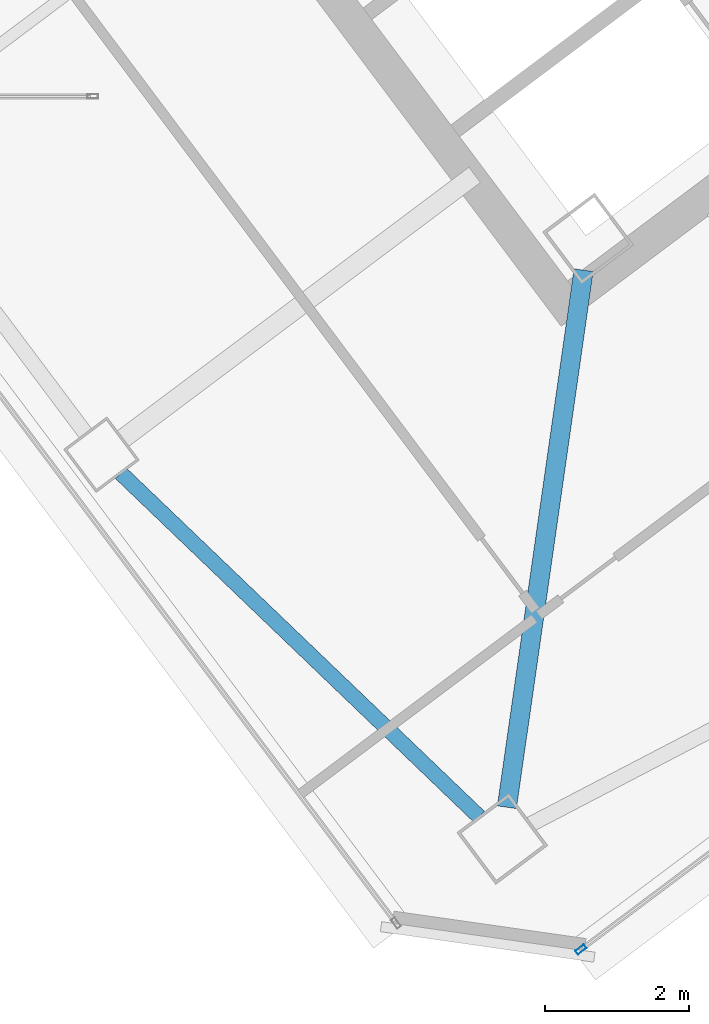
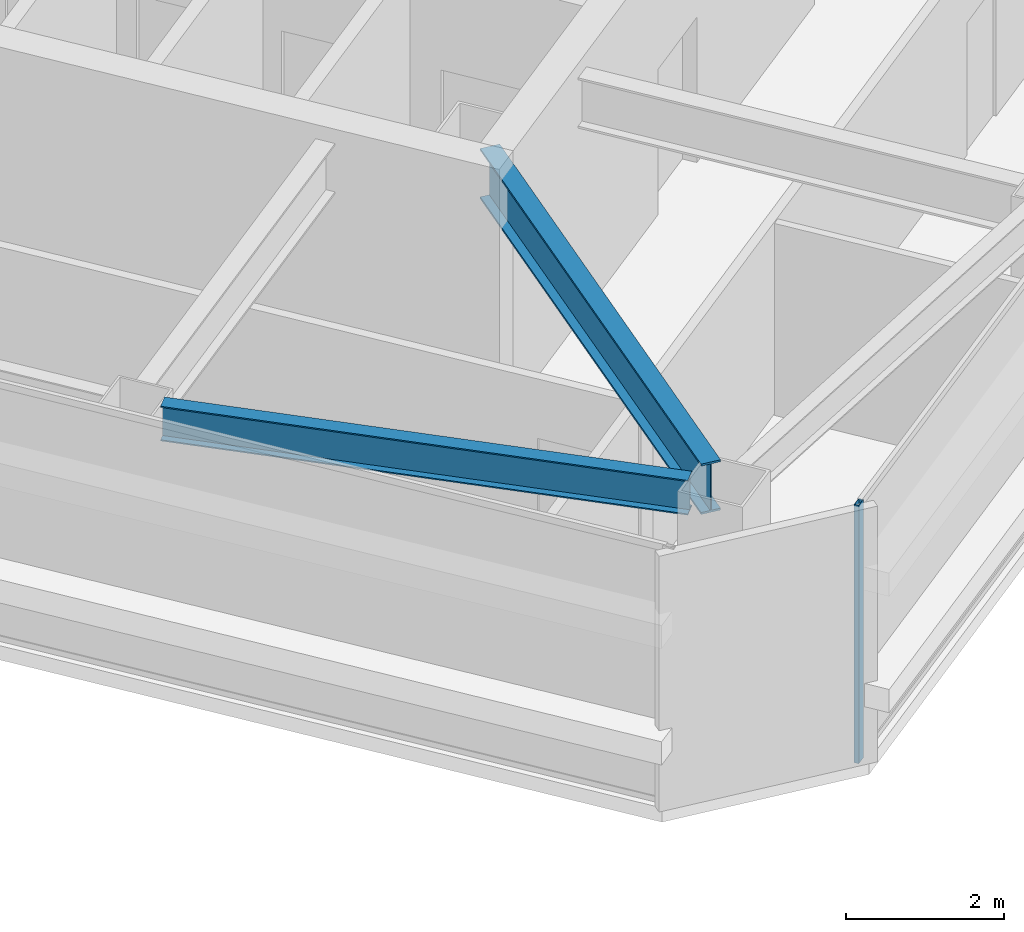
# One storey, part 27 of 51: 2 beams, 1 member, 1 element without a shape of its own.
"""IFC4 building model written with IfcOpenShell, lengths in metres."""

from ifc_helpers import new_model, si_unit, direction, frame, origin, origin_2d, place, context, subcontext, project, spatial, hollow_rectangle, i_section, extrude, material, material_profile, profile_set, type_object, element, aggregate, save


model = new_model("IFC4")

# Units and contexts
model_context = context("Model", 3, precision=1e-05, world=origin(), true_north=direction((0.0, 1.0)))
body_context = subcontext(model_context, "Body", "Model", "MODEL_VIEW")
ifc_project = project(units=[si_unit("LENGTHUNIT", "METRE"), si_unit("AREAUNIT", "SQUARE_METRE"), si_unit("VOLUMEUNIT", "CUBIC_METRE"), si_unit("PLANEANGLEUNIT", "RADIAN"), si_unit("MASSUNIT", "GRAM", prefix="KILO")], contexts=[model_context])

# Site, building, storey
site_placement = place(None, origin())
site = spatial("IfcSite", under=ifc_project, at=site_placement, CompositionType="ELEMENT")
building_placement = place(site_placement, origin())
building = spatial("IfcBuilding", under=site, at=building_placement, Name="Tashvorn Skyway Center", CompositionType="ELEMENT")
storey_placement = place(building_placement, frame((0.0, 0.0, 251.39990234375)))
storey = spatial("IfcBuildingStorey", under=building, at=storey_placement, Name="L68", CompositionType="ELEMENT", Elevation=251.39990234375)

# Beams
ifc_material_1 = material(Name="Steel ASTM A992 Grade 50", Category="steel")
ifc_material_profile_1 = material_profile(ifc_material_1, i_section(OverallWidth=0.26708984375, OverallDepth=0.779052734375, WebThickness=0.0166015625, FlangeThickness=0.030029296875, at=origin_2d()), Name="W30X148")
ifc_profile_set_1 = profile_set([ifc_material_profile_1], Name="Steel ASTM A992 Grade 50")
beam_type_1 = type_object("IfcBeamType", Name="BM-BEAM-W30X148", PredefinedType="BEAM", material=ifc_profile_set_1)
beam_1_placement = place(storey_placement, frame((111.462890625, 14.240478515625, 3.390625), z_axis=(0.141430441004, 0.989948195795, 0.0), x_axis=(-0.989948195795, 0.141430441004, 0.0)))
element("IfcBeam", 1, at=beam_1_placement, inside=storey, type_object=beam_type_1, Name="Tower 2 L68 Primary Floor Girder MC-SW", PredefinedType="BEAM", context=body_context, shape_type="SweptSolid", body=[
    extrude(i_section(OverallWidth=0.26708984375, OverallDepth=0.779052734375, WebThickness=0.0166015625, FlangeThickness=0.030029296875, at=origin_2d()), origin(), (0.0, 0.0, 1.0), 7.524658203125),
])
ifc_material_profile_2 = material_profile(ifc_material_1, i_section(OverallWidth=0.2109375, OverallDepth=0.5390625, WebThickness=0.01171875, FlangeThickness=0.018798828125, at=origin_2d()), Name="W21X73")
ifc_profile_set_2 = profile_set([ifc_material_profile_2], Name="Steel ASTM A992 Grade 50")
beam_type_2 = type_object("IfcBeamType", Name="BM-SPANDREL-W21X73", PredefinedType="SPANDREL", material=ifc_profile_set_2)
beam_2_placement = place(storey_placement, frame((106.107177734375, 18.8740234375, 3.510498046875), z_axis=(0.721873091786, -0.692025461493, 0.0), x_axis=(0.692025461493, 0.721873091786, 0.0)))
element("IfcBeam", 2, at=beam_2_placement, inside=storey, type_object=beam_type_2, Name="Tower 2 L68 Spandrel Beam 12", PredefinedType="SPANDREL", context=body_context, shape_type="SweptSolid", body=[
    extrude(i_section(OverallWidth=0.2109375, OverallDepth=0.5390625, WebThickness=0.01171875, FlangeThickness=0.018798828125, at=origin_2d()), origin(), (0.0, 0.0, 1.0), 6.88720703125),
])

# Curtain wall, member
ifc_material_2 = material(Name="Thermally broken bronze-anodized aluminium 6063-T6", Category="aluminium")
curtain_wall_type = type_object("IfcCurtainWallType", Name="CW-CW-SKY", PredefinedType="NOTDEFINED", material=ifc_material_2)
curtain_wall_placement = place(storey_placement, origin())
curtain_wall = element("IfcCurtainWall", 3, at=curtain_wall_placement, inside=storey, type_object=curtain_wall_type, Name="Tower 2 L68 South Unitised Curtain Wall", PredefinedType="NOTDEFINED")
ifc_material_profile_3 = material_profile(ifc_material_2, hollow_rectangle(XDim=0.06494140625, YDim=0.14990234375, WallThickness=0.00390625, at=origin_2d()), Name="ALU-MULL-65x150")
ifc_profile_set_3 = profile_set([ifc_material_profile_3], Name="Thermally broken bronze-anodized aluminium 6063-T6")
member_type = type_object("IfcMemberType", Name="CWM-CW-SKY", PredefinedType="MULLION", material=ifc_profile_set_3)
member_placement = place(storey_placement, frame((112.489990234375, 12.267578125, 0.0), z_axis=(0.0, 0.0, 1.0), x_axis=(0.600000000002, -0.799999999998, 0.0)))
member = element("IfcMember", 4, at=member_placement, type_object=member_type, Name="CW-SKY mullion 4", PredefinedType="MULLION", context=body_context, shape_type="SweptSolid", body=[
    extrude(hollow_rectangle(XDim=0.06494140625, YDim=0.14990234375, WallThickness=0.00390625, at=origin_2d()), origin(), (0.0, 0.0, 1.0), 4.0),
])
aggregate(curtain_wall, [member])

save(model, "model.ifc")
